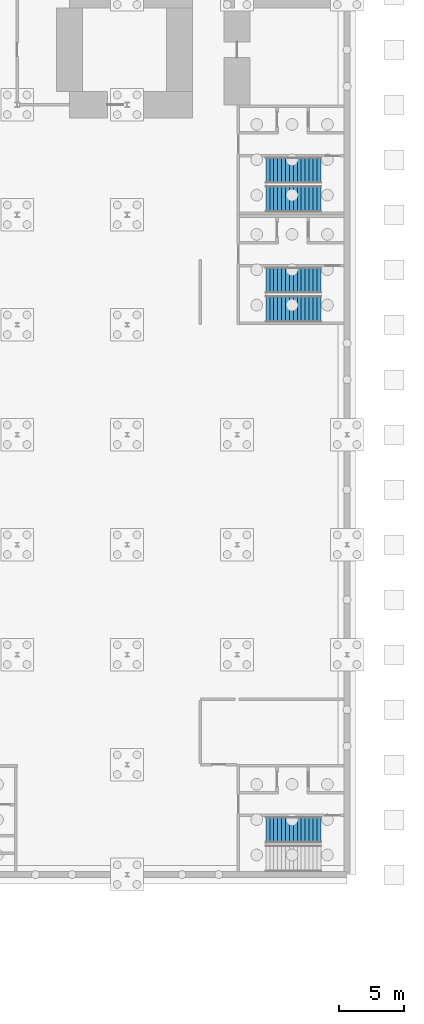
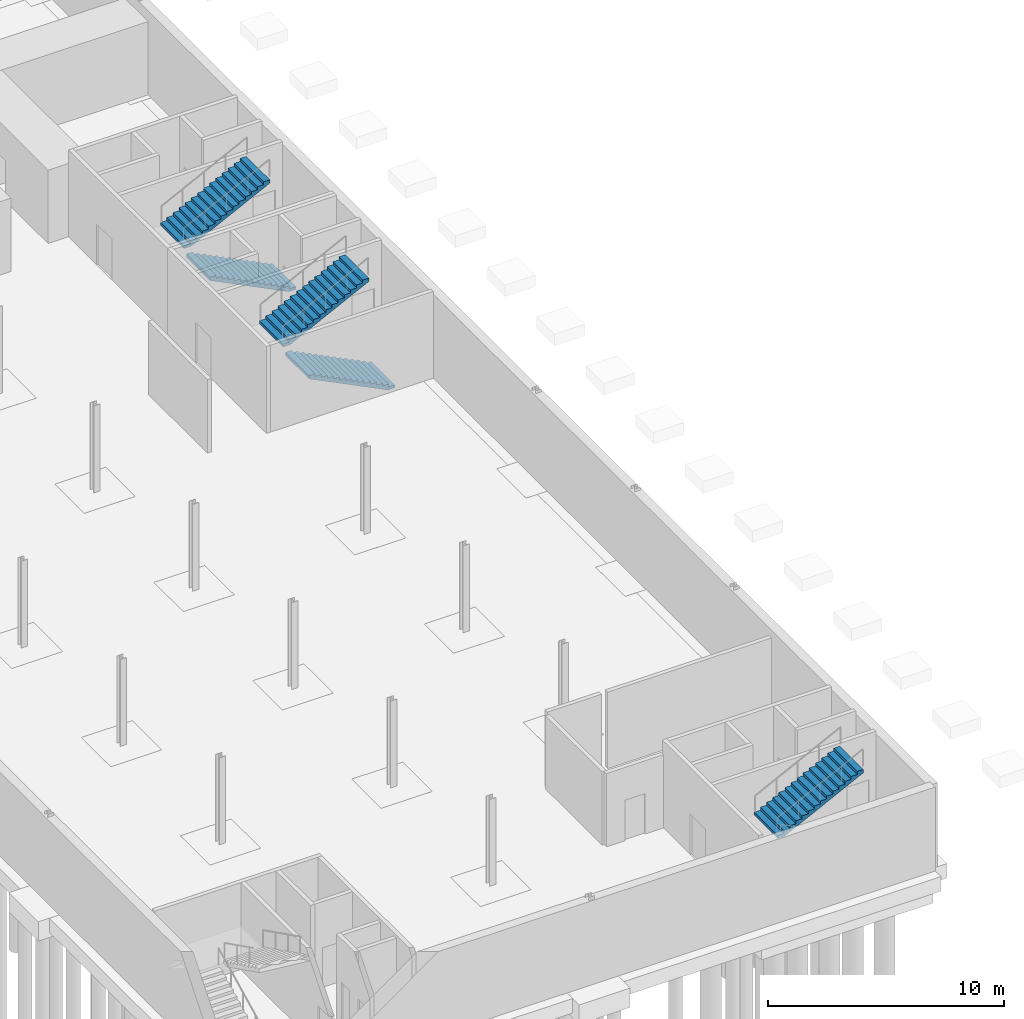
# One storey, part 33 of 35: 5 stair flights, 3 elements without a shape of their own.
"""IFC4 building model written with IfcOpenShell, lengths in metres."""

from ifc_helpers import new_model, si_unit, direction, frame, origin, place, context, subcontext, project, spatial, polyline, outline, extrude, material, type_object, element, aggregate, save


model = new_model("IFC4")

# Units and contexts
model_context = context("Model", 3, precision=1e-05, world=origin(), true_north=direction((0.0, 1.0)))
body_context = subcontext(model_context, "Body", "Model", "MODEL_VIEW")
ifc_project = project(units=[si_unit("LENGTHUNIT", "METRE"), si_unit("AREAUNIT", "SQUARE_METRE"), si_unit("VOLUMEUNIT", "CUBIC_METRE"), si_unit("PLANEANGLEUNIT", "RADIAN"), si_unit("MASSUNIT", "GRAM", prefix="KILO")], contexts=[model_context])

# Site, building, storey
site_placement = place(None, origin())
site = spatial("IfcSite", under=ifc_project, at=site_placement, CompositionType="ELEMENT")
building_placement = place(site_placement, origin())
building = spatial("IfcBuilding", under=site, at=building_placement, Name="Ardhachandra Cancer Care Centre", CompositionType="ELEMENT")
storey_placement = place(building_placement, frame((0.0, 0.0, -4.5)))
storey = spatial("IfcBuildingStorey", under=building, at=storey_placement, Name="B1", CompositionType="ELEMENT", Elevation=-4.5)

# Stair, stair flight
ifc_material_1 = material(Name="Concrete M40", Category="concrete")
stair_type = type_object("IfcStairType", Name="Dog-leg stair 2000", PredefinedType="HALF_TURN_STAIR", material=ifc_material_1)
stair_1_placement = place(storey_placement, origin())
stair_1 = element("IfcStair", 1, at=stair_1_placement, inside=storey, type_object=stair_type, Name="Stair K9 B1-L00", PredefinedType="HALF_TURN_STAIR")
ifc_material_2 = material(Name="Concrete M40", Category="concrete")
stair_flight_type = type_object("IfcStairFlightType", Name="Stair flight 2000", PredefinedType="STRAIGHT", material=ifc_material_2)
stair_flight_1_placement = place(storey_placement, frame((139.0, 32.824951171875, 2.25), z_axis=(0.0, 0.0, 1.0), x_axis=(1.0, 0.0, 0.0)))
stair_flight_1 = element("IfcStairFlight", 2, at=stair_flight_1_placement, type_object=stair_flight_type, Name="stair K9 B1-L00 flight 2", NumberOfRisers=15, NumberOfTreads=14, PredefinedType="STRAIGHT", RiserHeight=0.15, TreadLength=0.3, context=body_context, shape_type="SweptSolid", body=[
    extrude(outline(polyline([(0.0, 0.0), (0.0, 0.14990234375), (0.300048828125, 0.14990234375), (0.300048828125, 0.300048828125), (0.60009765625, 0.300048828125), (0.60009765625, 0.449951171875), (0.89990234375, 0.449951171875), (0.89990234375, 0.60009765625), (1.199951171875, 0.60009765625), (1.199951171875, 0.75), (1.5, 0.75), (1.5, 0.89990234375), (1.800048828125, 0.89990234375), (1.800048828125, 1.050048828125), (2.10009765625, 1.050048828125), (2.10009765625, 1.199951171875), (2.39990234375, 1.199951171875), (2.39990234375, 1.35009765625), (2.699951171875, 1.35009765625), (2.699951171875, 1.5), (3.0, 1.5), (3.0, 1.64990234375), (3.300048828125, 1.64990234375), (3.300048828125, 1.800048828125), (3.60009765625, 1.800048828125), (3.60009765625, 1.949951171875), (3.89990234375, 1.949951171875), (3.89990234375, 2.10009765625), (4.199951171875, 2.10009765625), (4.199951171875, 2.25), (4.199951171875, 1.932373046875), (0.335205078125, 0.0), (0.0, 0.0)])), frame((0.0, 1.0, 0.0), z_axis=(0.0, -1.0, 0.0), x_axis=(1.0, 0.0, 0.0)), (0.0, 0.0, 1.0), 2.0),
])
aggregate(stair_1, [stair_flight_1])

# Stair, stair flights
stair_2_placement = place(storey_placement, origin())
stair_2 = element("IfcStair", 3, at=stair_2_placement, inside=storey, type_object=stair_type, Name="Stair K10 B1-L00", PredefinedType="HALF_TURN_STAIR")
stair_flight_2_placement = place(storey_placement, frame((143.199951171875, 72.60009765625, 0.0), z_axis=(0.0, 0.0, 1.0), x_axis=(-1.0, 0.0, 0.0)))
stair_flight_2 = element("IfcStairFlight", 4, at=stair_flight_2_placement, type_object=stair_flight_type, Name="stair K10 B1-L00 flight 1", NumberOfRisers=15, NumberOfTreads=14, PredefinedType="STRAIGHT", RiserHeight=0.15, TreadLength=0.3, context=body_context, shape_type="SweptSolid", body=[
    extrude(outline(polyline([(0.0, 0.0), (0.0, 0.14990234375), (0.300048828125, 0.14990234375), (0.300048828125, 0.300048828125), (0.60009765625, 0.300048828125), (0.60009765625, 0.449951171875), (0.89990234375, 0.449951171875), (0.89990234375, 0.60009765625), (1.199951171875, 0.60009765625), (1.199951171875, 0.75), (1.5, 0.75), (1.5, 0.89990234375), (1.800048828125, 0.89990234375), (1.800048828125, 1.050048828125), (2.10009765625, 1.050048828125), (2.10009765625, 1.199951171875), (2.39990234375, 1.199951171875), (2.39990234375, 1.35009765625), (2.699951171875, 1.35009765625), (2.699951171875, 1.5), (3.0, 1.5), (3.0, 1.64990234375), (3.300048828125, 1.64990234375), (3.300048828125, 1.800048828125), (3.60009765625, 1.800048828125), (3.60009765625, 1.949951171875), (3.89990234375, 1.949951171875), (3.89990234375, 2.10009765625), (4.199951171875, 2.10009765625), (4.199951171875, 2.25), (4.199951171875, 1.932373046875), (0.335205078125, 0.0), (0.0, 0.0)])), frame((0.0, 1.0, 0.0), z_axis=(0.0, -1.0, 0.0), x_axis=(1.0, 0.0, 0.0)), (0.0, 0.0, 1.0), 2.0),
])
stair_flight_3_placement = place(storey_placement, frame((139.0, 74.800048828125, 2.25), z_axis=(0.0, 0.0, 1.0), x_axis=(1.0, 0.0, 0.0)))
stair_flight_3 = element("IfcStairFlight", 5, at=stair_flight_3_placement, type_object=stair_flight_type, Name="stair K10 B1-L00 flight 2", NumberOfRisers=15, NumberOfTreads=14, PredefinedType="STRAIGHT", RiserHeight=0.15, TreadLength=0.3, context=body_context, shape_type="SweptSolid", body=[
    extrude(outline(polyline([(0.0, 0.0), (0.0, 0.14990234375), (0.300048828125, 0.14990234375), (0.300048828125, 0.300048828125), (0.60009765625, 0.300048828125), (0.60009765625, 0.449951171875), (0.89990234375, 0.449951171875), (0.89990234375, 0.60009765625), (1.199951171875, 0.60009765625), (1.199951171875, 0.75), (1.5, 0.75), (1.5, 0.89990234375), (1.800048828125, 0.89990234375), (1.800048828125, 1.050048828125), (2.10009765625, 1.050048828125), (2.10009765625, 1.199951171875), (2.39990234375, 1.199951171875), (2.39990234375, 1.35009765625), (2.699951171875, 1.35009765625), (2.699951171875, 1.5), (3.0, 1.5), (3.0, 1.64990234375), (3.300048828125, 1.64990234375), (3.300048828125, 1.800048828125), (3.60009765625, 1.800048828125), (3.60009765625, 1.949951171875), (3.89990234375, 1.949951171875), (3.89990234375, 2.10009765625), (4.199951171875, 2.10009765625), (4.199951171875, 2.25), (4.199951171875, 1.932373046875), (0.335205078125, 0.0), (0.0, 0.0)])), frame((0.0, 1.0, 0.0), z_axis=(0.0, -1.0, 0.0), x_axis=(1.0, 0.0, 0.0)), (0.0, 0.0, 1.0), 2.0),
])
aggregate(stair_2, [stair_flight_2, stair_flight_3])

stair_3_placement = place(storey_placement, origin())
stair_3 = element("IfcStair", 6, at=stair_3_placement, inside=storey, type_object=stair_type, Name="Stair K13 B1-L00", PredefinedType="HALF_TURN_STAIR")
stair_flight_4_placement = place(storey_placement, frame((143.199951171875, 81.0, 0.0), z_axis=(0.0, 0.0, 1.0), x_axis=(-1.0, 0.0, 0.0)))
stair_flight_4 = element("IfcStairFlight", 7, at=stair_flight_4_placement, type_object=stair_flight_type, Name="stair K13 B1-L00 flight 1", NumberOfRisers=15, NumberOfTreads=14, PredefinedType="STRAIGHT", RiserHeight=0.15, TreadLength=0.3, context=body_context, shape_type="SweptSolid", body=[
    extrude(outline(polyline([(0.0, 0.0), (0.0, 0.14990234375), (0.300048828125, 0.14990234375), (0.300048828125, 0.300048828125), (0.60009765625, 0.300048828125), (0.60009765625, 0.449951171875), (0.89990234375, 0.449951171875), (0.89990234375, 0.60009765625), (1.199951171875, 0.60009765625), (1.199951171875, 0.75), (1.5, 0.75), (1.5, 0.89990234375), (1.800048828125, 0.89990234375), (1.800048828125, 1.050048828125), (2.10009765625, 1.050048828125), (2.10009765625, 1.199951171875), (2.39990234375, 1.199951171875), (2.39990234375, 1.35009765625), (2.699951171875, 1.35009765625), (2.699951171875, 1.5), (3.0, 1.5), (3.0, 1.64990234375), (3.300048828125, 1.64990234375), (3.300048828125, 1.800048828125), (3.60009765625, 1.800048828125), (3.60009765625, 1.949951171875), (3.89990234375, 1.949951171875), (3.89990234375, 2.10009765625), (4.199951171875, 2.10009765625), (4.199951171875, 2.25), (4.199951171875, 1.932373046875), (0.335205078125, 0.0), (0.0, 0.0)])), frame((0.0, 1.0, 0.0), z_axis=(0.0, -1.0, 0.0), x_axis=(1.0, 0.0, 0.0)), (0.0, 0.0, 1.0), 2.0),
])
stair_flight_5_placement = place(storey_placement, frame((139.0, 83.199951171875, 2.25), z_axis=(0.0, 0.0, 1.0), x_axis=(1.0, 0.0, 0.0)))
stair_flight_5 = element("IfcStairFlight", 8, at=stair_flight_5_placement, type_object=stair_flight_type, Name="stair K13 B1-L00 flight 2", NumberOfRisers=15, NumberOfTreads=14, PredefinedType="STRAIGHT", RiserHeight=0.15, TreadLength=0.3, context=body_context, shape_type="SweptSolid", body=[
    extrude(outline(polyline([(0.0, 0.0), (0.0, 0.14990234375), (0.300048828125, 0.14990234375), (0.300048828125, 0.300048828125), (0.60009765625, 0.300048828125), (0.60009765625, 0.449951171875), (0.89990234375, 0.449951171875), (0.89990234375, 0.60009765625), (1.199951171875, 0.60009765625), (1.199951171875, 0.75), (1.5, 0.75), (1.5, 0.89990234375), (1.800048828125, 0.89990234375), (1.800048828125, 1.050048828125), (2.10009765625, 1.050048828125), (2.10009765625, 1.199951171875), (2.39990234375, 1.199951171875), (2.39990234375, 1.35009765625), (2.699951171875, 1.35009765625), (2.699951171875, 1.5), (3.0, 1.5), (3.0, 1.64990234375), (3.300048828125, 1.64990234375), (3.300048828125, 1.800048828125), (3.60009765625, 1.800048828125), (3.60009765625, 1.949951171875), (3.89990234375, 1.949951171875), (3.89990234375, 2.10009765625), (4.199951171875, 2.10009765625), (4.199951171875, 2.25), (4.199951171875, 1.932373046875), (0.335205078125, 0.0), (0.0, 0.0)])), frame((0.0, 1.0, 0.0), z_axis=(0.0, -1.0, 0.0), x_axis=(1.0, 0.0, 0.0)), (0.0, 0.0, 1.0), 2.0),
])
aggregate(stair_3, [stair_flight_4, stair_flight_5])

save(model, "model.ifc")
